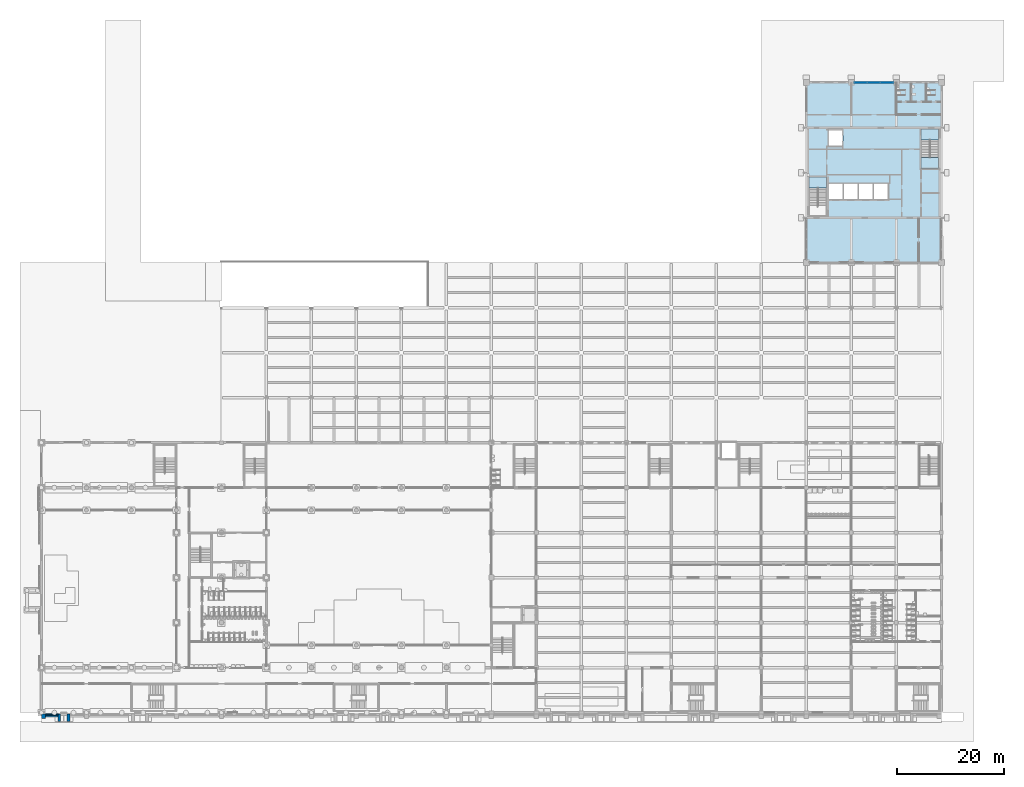
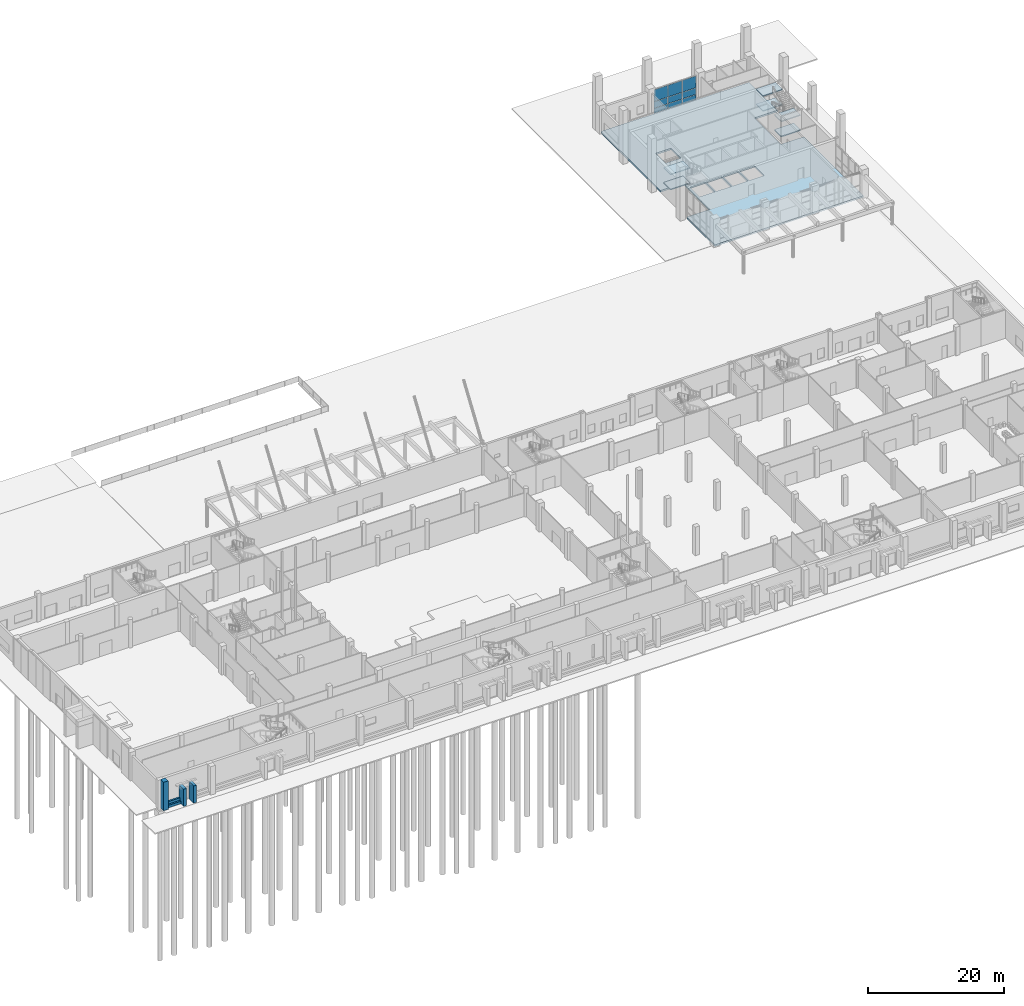
# One storey, part 14 of 74: 9 plates, 7 slabs, 5 walls, 3 elements without a shape of their own.
"""IFC4 building model written with IfcOpenShell, lengths in metres."""

from ifc_helpers import new_model, si_unit, direction, frame, frame_2d, origin, origin_2d, place, context, subcontext, project, spatial, polyline, rectangle, outline, extrude, material, layer, layer_set, type_object, element, aggregate, save


model = new_model("IFC4")

# Units and contexts
model_context = context("Model", 3, precision=1e-05, world=origin(), true_north=direction((0.0, 1.0)))
body_context = subcontext(model_context, "Body", "Model", "MODEL_VIEW")
ifc_project = project(units=[si_unit("LENGTHUNIT", "METRE"), si_unit("AREAUNIT", "SQUARE_METRE"), si_unit("VOLUMEUNIT", "CUBIC_METRE"), si_unit("PLANEANGLEUNIT", "RADIAN"), si_unit("MASSUNIT", "GRAM", prefix="KILO")], contexts=[model_context])

# Site, building, storey
site_placement = place(None, origin())
site = spatial("IfcSite", under=ifc_project, at=site_placement, CompositionType="ELEMENT")
building_placement = place(site_placement, origin())
building = spatial("IfcBuilding", under=site, at=building_placement, Name="Rulbaag Community and Learning Centre", CompositionType="ELEMENT")
storey_placement = place(building_placement, origin())
storey = spatial("IfcBuildingStorey", under=building, at=storey_placement, Name="L00", CompositionType="ELEMENT", Elevation=0.0)

# Curtain wall, plates
ifc_material_1 = material(Name="Aluminium", Category="aluminium")
ifc_layer_1 = layer(ifc_material_1, 0.14990234375)
ifc_layer_set_1 = layer_set([ifc_layer_1], Name="CW-T")
curtain_wall_type = type_object("IfcCurtainWallType", Name="CW-T", PredefinedType="USERDEFINED", material=ifc_layer_set_1)
curtain_wall_placement = place(storey_placement, origin())
curtain_wall = element("IfcCurtainWall", 1, at=curtain_wall_placement, inside=storey, type_object=curtain_wall_type, Name="GT-L00-01", ObjectType="UNITISED CURTAIN WALL", PredefinedType="USERDEFINED")
ifc_layer_2 = layer(ifc_material_1, 0.06005859375)
ifc_layer_set_2 = layer_set([ifc_layer_2], Name="CW-T-SPN")
plate_type_1 = type_object("IfcPlateType", Name="CW-T-SPN", PredefinedType="CURTAIN_PANEL", material=ifc_layer_set_2)
plate_1_placement = place(storey_placement, frame((152.98291015625, 117.60009765625, 0.06494140625), z_axis=(0.0, 0.0, 1.0), x_axis=(1.0, 0.0, 0.0)))
plate_1 = element("IfcPlate", 2, at=plate_1_placement, type_object=plate_type_1, Name="GT spandrel panel", PredefinedType="CURTAIN_PANEL", context=body_context, shape_type="SweptSolid", body=[
    extrude(rectangle(XDim=2.3359375, YDim=0.06005859375, at=origin_2d()), origin(), (0.0, 0.0, 1.0), 0.902587890625),
])
plate_2_placement = place(storey_placement, frame((152.98291015625, 117.60009765625, 2.232421875), z_axis=(0.0, 0.0, 1.0), x_axis=(1.0, 0.0, 0.0)))
plate_2 = element("IfcPlate", 3, at=plate_2_placement, type_object=plate_type_1, Name="GT spandrel panel", PredefinedType="CURTAIN_PANEL", context=body_context, shape_type="SweptSolid", body=[
    extrude(rectangle(XDim=2.3359375, YDim=0.06005859375, at=origin_2d()), origin(), (0.0, 0.0, 1.0), 2.1025390625),
])
plate_3_placement = place(storey_placement, frame((155.39990234375, 117.60009765625, 0.06494140625), z_axis=(0.0, 0.0, 1.0), x_axis=(1.0, 0.0, 0.0)))
plate_3 = element("IfcPlate", 4, at=plate_3_placement, type_object=plate_type_1, Name="GT spandrel panel", PredefinedType="CURTAIN_PANEL", context=body_context, shape_type="SweptSolid", body=[
    extrude(rectangle(XDim=2.368408203125, YDim=0.06005859375, at=origin_2d()), origin(), (0.0, 0.0, 1.0), 0.902587890625),
])
plate_4_placement = place(storey_placement, frame((155.39990234375, 117.60009765625, 2.232421875), z_axis=(0.0, 0.0, 1.0), x_axis=(1.0, 0.0, 0.0)))
plate_4 = element("IfcPlate", 5, at=plate_4_placement, type_object=plate_type_1, Name="GT spandrel panel", PredefinedType="CURTAIN_PANEL", context=body_context, shape_type="SweptSolid", body=[
    extrude(rectangle(XDim=2.368408203125, YDim=0.06005859375, at=origin_2d()), origin(), (0.0, 0.0, 1.0), 2.1025390625),
])
plate_5_placement = place(storey_placement, frame((157.817138671875, 117.60009765625, 0.06494140625), z_axis=(0.0, 0.0, 1.0), x_axis=(1.0, 0.0, 0.0)))
plate_5 = element("IfcPlate", 6, at=plate_5_placement, type_object=plate_type_1, Name="GT spandrel panel", PredefinedType="CURTAIN_PANEL", context=body_context, shape_type="SweptSolid", body=[
    extrude(rectangle(XDim=2.3359375, YDim=0.06005859375, at=origin_2d()), origin(), (0.0, 0.0, 1.0), 0.902587890625),
])
plate_6_placement = place(storey_placement, frame((157.817138671875, 117.60009765625, 2.232421875), z_axis=(0.0, 0.0, 1.0), x_axis=(1.0, 0.0, 0.0)))
plate_6 = element("IfcPlate", 7, at=plate_6_placement, type_object=plate_type_1, Name="GT spandrel panel", PredefinedType="CURTAIN_PANEL", context=body_context, shape_type="SweptSolid", body=[
    extrude(rectangle(XDim=2.3359375, YDim=0.06005859375, at=origin_2d()), origin(), (0.0, 0.0, 1.0), 2.1025390625),
])
ifc_material_2 = material(Name="Glass", Category="glass")
ifc_layer_3 = layer(ifc_material_2, 0.028076171875)
ifc_layer_set_3 = layer_set([ifc_layer_3], Name="CW-T-VIS")
plate_type_2 = type_object("IfcPlateType", Name="CW-T-VIS", PredefinedType="CURTAIN_PANEL", material=ifc_layer_set_3)
plate_7_placement = place(storey_placement, frame((152.98291015625, 117.60009765625, 1.03271484375), z_axis=(0.0, 0.0, 1.0), x_axis=(1.0, 0.0, 0.0)))
plate_7 = element("IfcPlate", 8, at=plate_7_placement, type_object=plate_type_2, Name="GT vision panel", PredefinedType="CURTAIN_PANEL", context=body_context, shape_type="SweptSolid", body=[
    extrude(rectangle(XDim=2.3359375, YDim=0.028076171875, at=origin_2d()), origin(), (0.0, 0.0, 1.0), 1.135009765625),
])
plate_8_placement = place(storey_placement, frame((155.39990234375, 117.60009765625, 1.03271484375), z_axis=(0.0, 0.0, 1.0), x_axis=(1.0, 0.0, 0.0)))
plate_8 = element("IfcPlate", 9, at=plate_8_placement, type_object=plate_type_2, Name="GT vision panel", PredefinedType="CURTAIN_PANEL", context=body_context, shape_type="SweptSolid", body=[
    extrude(rectangle(XDim=2.368408203125, YDim=0.028076171875, at=origin_2d()), origin(), (0.0, 0.0, 1.0), 1.135009765625),
])
plate_9_placement = place(storey_placement, frame((157.817138671875, 117.60009765625, 1.03271484375), z_axis=(0.0, 0.0, 1.0), x_axis=(1.0, 0.0, 0.0)))
plate_9 = element("IfcPlate", 10, at=plate_9_placement, type_object=plate_type_2, Name="GT vision panel", PredefinedType="CURTAIN_PANEL", context=body_context, shape_type="SweptSolid", body=[
    extrude(rectangle(XDim=2.3359375, YDim=0.028076171875, at=origin_2d()), origin(), (0.0, 0.0, 1.0), 1.135009765625),
])
aggregate(curtain_wall, [plate_1, plate_7, plate_2, plate_3, plate_8, plate_4, plate_5, plate_9, plate_6])

# Stair, slabs
ifc_material_3 = material(Name="Concrete M40", Category="concrete")
stair_type = type_object("IfcStairType", Name="ST-1650 STAIR 1650 WIDE", PredefinedType="HALF_TURN_STAIR", material=ifc_material_3)
stair_1_placement = place(storey_placement, origin())
stair_1 = element("IfcStair", 11, at=stair_1_placement, inside=storey, type_object=stair_type, Name="Stair ST1 L00", PredefinedType="HALF_TURN_STAIR")
ifc_layer_4 = layer(ifc_material_3, 0.179931640625)
ifc_layer_set_4 = layer_set([ifc_layer_4], Name="LN-180 LANDING 180 Concrete M40")
slab_type_1 = type_object("IfcSlabType", Name="LN-180 LANDING 180 Concrete M40", PredefinedType="LANDING", material=ifc_layer_set_4)
slab_1_placement = place(storey_placement, frame((0.0, 0.0, 1.169921875)))
slab_1 = element("IfcSlab", 12, at=slab_1_placement, type_object=slab_type_1, Name="ST1 landing 1", PredefinedType="LANDING", context=body_context, shape_type="SweptSolid", body=[
    extrude(outline(polyline([(143.300048828125, 97.97509765625), (143.300048828125, 100.0), (146.60009765625, 100.0), (146.60009765625, 97.97509765625), (143.300048828125, 97.97509765625)])), origin(), (0.0, 0.0, 1.0), 0.18017578125),
])
slab_2_placement = place(storey_placement, frame((0.0, 0.0, 3.8701171875)))
slab_2 = element("IfcSlab", 13, at=slab_2_placement, type_object=slab_type_1, Name="ST1 landing 3", PredefinedType="LANDING", context=body_context, shape_type="SweptSolid", body=[
    extrude(outline(polyline([(143.300048828125, 97.97509765625), (143.300048828125, 100.0), (146.60009765625, 100.0), (146.60009765625, 97.97509765625), (143.300048828125, 97.97509765625)])), origin(), (0.0, 0.0, 1.0), 0.179931640625),
])
aggregate(stair_1, [slab_1, slab_2])

stair_2_placement = place(storey_placement, origin())
stair_2 = element("IfcStair", 14, at=stair_2_placement, inside=storey, type_object=stair_type, Name="Stair ST2 L00", PredefinedType="HALF_TURN_STAIR")
slab_3_placement = place(storey_placement, frame((0.0, 0.0, 1.169921875)))
slab_3 = element("IfcSlab", 15, at=slab_3_placement, type_object=slab_type_1, Name="ST2 landing 1", PredefinedType="LANDING", context=body_context, shape_type="SweptSolid", body=[
    extrude(outline(polyline([(164.199951171875, 101.60009765625), (164.199951171875, 103.625), (167.5, 103.625), (167.5, 101.60009765625), (164.199951171875, 101.60009765625)])), origin(), (0.0, 0.0, 1.0), 0.18017578125),
])
slab_4_placement = place(storey_placement, frame((0.0, 0.0, 2.52001953125)))
slab_4 = element("IfcSlab", 16, at=slab_4_placement, type_object=slab_type_1, Name="ST2 landing 2", PredefinedType="LANDING", context=body_context, shape_type="SweptSolid", body=[
    extrude(outline(polyline([(164.199951171875, 106.925048828125), (164.199951171875, 108.949951171875), (167.5, 108.949951171875), (167.5, 106.925048828125), (164.199951171875, 106.925048828125)])), origin(), (0.0, 0.0, 1.0), 0.179931640625),
])
slab_5_placement = place(storey_placement, frame((0.0, 0.0, 3.8701171875)))
slab_5 = element("IfcSlab", 17, at=slab_5_placement, type_object=slab_type_1, Name="ST2 landing 3", PredefinedType="LANDING", context=body_context, shape_type="SweptSolid", body=[
    extrude(outline(polyline([(164.199951171875, 101.60009765625), (164.199951171875, 103.625), (167.5, 103.625), (167.5, 101.60009765625), (164.199951171875, 101.60009765625)])), origin(), (0.0, 0.0, 1.0), 0.179931640625),
])
slab_6_placement = place(storey_placement, frame((0.0, 0.0, 5.219970703125)))
slab_6 = element("IfcSlab", 18, at=slab_6_placement, type_object=slab_type_1, Name="ST2 landing 4", PredefinedType="LANDING", context=body_context, shape_type="SweptSolid", body=[
    extrude(outline(polyline([(164.199951171875, 106.925048828125), (164.199951171875, 108.949951171875), (167.5, 108.949951171875), (167.5, 106.925048828125), (164.199951171875, 106.925048828125)])), origin(), (0.0, 0.0, 1.0), 0.179931640625),
])
aggregate(stair_2, [slab_3, slab_4, slab_5, slab_6])

# Slab
ifc_layer_5 = layer(ifc_material_3, 0.300048828125)
ifc_layer_set_5 = layer_set([ifc_layer_5], Name="S5 Floor slab 300 Concrete M40")
slab_type_2 = type_object("IfcSlabType", Name="S5 Floor slab 300 Concrete M40", PredefinedType="FLOOR", material=ifc_layer_set_5)
slab_7_placement = place(storey_placement, frame((0.0, 0.0, -0.300048828125)))
element("IfcSlab", 19, at=slab_7_placement, inside=storey, type_object=slab_type_2, Name="SL-L00-BS01", PredefinedType="FLOOR", context=body_context, shape_type="SweptSolid", body=[
    extrude(outline(polyline([(142.800048828125, 92.300048828125), (146.699951171875, 92.300048828125), (146.699951171875, 100.10009765625), (142.800048828125, 100.10009765625), (142.800048828125, 117.60009765625), (168.0, 117.60009765625), (168.0, 109.300048828125), (164.10009765625, 109.300048828125), (164.10009765625, 101.5), (168.0, 101.5), (168.0, 84.0), (142.800048828125, 84.0), (142.800048828125, 92.300048828125)]), holes=[polyline([(147.0, 95.800048828125), (149.60009765625, 95.800048828125), (149.60009765625, 98.699951171875), (147.0, 98.699951171875), (147.0, 95.800048828125)]), polyline([(149.800048828125, 95.800048828125), (152.39990234375, 95.800048828125), (152.39990234375, 98.699951171875), (149.800048828125, 98.699951171875), (149.800048828125, 95.800048828125)]), polyline([(152.60009765625, 95.800048828125), (155.199951171875, 95.800048828125), (155.199951171875, 98.699951171875), (152.60009765625, 98.699951171875), (152.60009765625, 95.800048828125)]), polyline([(155.39990234375, 95.800048828125), (158.0, 95.800048828125), (158.0, 98.699951171875), (155.39990234375, 98.699951171875), (155.39990234375, 95.800048828125)]), polyline([(147.0, 108.699951171875), (147.0, 105.800048828125), (149.60009765625, 105.800048828125), (149.60009765625, 108.699951171875), (147.0, 108.699951171875)])]), origin(), (0.0, 0.0, 1.0), 0.300048828125),
])

# Walls
ifc_layer_6 = layer(ifc_material_3, 0.800048828125)
ifc_layer_set_6 = layer_set([ifc_layer_6], Name="EW-BTR")
wall_type_1 = type_object("IfcWallType", Name="EW-BTR", PredefinedType="SOLIDWALL", material=ifc_layer_set_6)
wall_1_placement = place(storey_placement, frame((0.39990234375, -0.22509765625, 0.0), z_axis=(0.0, 0.0, 1.0), x_axis=(0.0, -1.0, 0.0)))
element("IfcWall", 20, at=wall_1_placement, inside=storey, type_object=wall_type_1, Name="Buttress pier", PredefinedType="SOLIDWALL", context=body_context, shape_type="SweptSolid", body=[
    extrude(rectangle(XDim=0.89990234375, YDim=0.800048828125, at=frame_2d((0.449951171875, 0.0))), origin(), (0.0, 0.0, 1.0), 5.10009765625),
])
ifc_layer_7 = layer(ifc_material_3, 0.5)
ifc_layer_set_7 = layer_set([ifc_layer_7], Name="EW-PJB5")
wall_type_2 = type_object("IfcWallType", Name="EW-PJB5", PredefinedType="SOLIDWALL", material=ifc_layer_set_7)
for number, where, z_axis, x_axis, name in (
    (21, (3.35009765625, -0.22509765625, 0.0), (0.0, 0.0, 1.0), (0.0, -1.0, 0.0), "Portal jamb"),
    (22, (5.050048828125, -0.22509765625, 0.0), (0.0, 0.0, 1.0), (0.0, -1.0, 0.0), "Portal jamb"),
):
    element("IfcWall", number, at=place(storey_placement, frame(where, z_axis=z_axis, x_axis=x_axis)), inside=storey, type_object=wall_type_2, Name=name, PredefinedType="SOLIDWALL", context=body_context, shape_type="SweptSolid", body=[
        extrude(rectangle(XDim=1.39990234375, YDim=0.5, at=frame_2d((0.699951171875, 0.0))), origin(), (0.0, 0.0, 1.0), 3.080078125),
    ])
ifc_layer_8 = layer(ifc_material_3, 0.60009765625)
ifc_layer_set_8 = layer_set([ifc_layer_8], Name="EW-PLN1")
wall_type_3 = type_object("IfcWallType", Name="EW-PLN1", PredefinedType="SOLIDWALL", material=ifc_layer_set_8)
wall_2_placement = place(storey_placement, frame((0.800048828125, -0.52490234375, 0.0), z_axis=(0.0, 0.0, 1.0), x_axis=(1.0, 0.0, 0.0)))
element("IfcWall", 23, at=wall_2_placement, inside=storey, type_object=wall_type_3, Name="Battered plinth", PredefinedType="SOLIDWALL", context=body_context, shape_type="SweptSolid", body=[
    extrude(rectangle(XDim=2.300048828125, YDim=0.60009765625, at=frame_2d((1.14990234375, 0.0))), origin(), (0.0, 0.0, 1.0), 0.449951171875),
])
ifc_layer_9 = layer(ifc_material_3, 0.300048828125)
ifc_layer_set_9 = layer_set([ifc_layer_9], Name="EW-PLN2")
wall_type_4 = type_object("IfcWallType", Name="EW-PLN2", PredefinedType="SOLIDWALL", material=ifc_layer_set_9)
wall_3_placement = place(storey_placement, frame((0.800048828125, -0.375, 0.449951171875), z_axis=(0.0, 0.0, 1.0), x_axis=(1.0, 0.0, 0.0)))
element("IfcWall", 24, at=wall_3_placement, inside=storey, type_object=wall_type_4, Name="Battered plinth", PredefinedType="SOLIDWALL", context=body_context, shape_type="SweptSolid", body=[
    extrude(rectangle(XDim=2.300048828125, YDim=0.300048828125, at=frame_2d((1.14990234375, 0.0))), origin(), (0.0, 0.0, 1.0), 0.449951171875),
])

save(model, "model.ifc")
